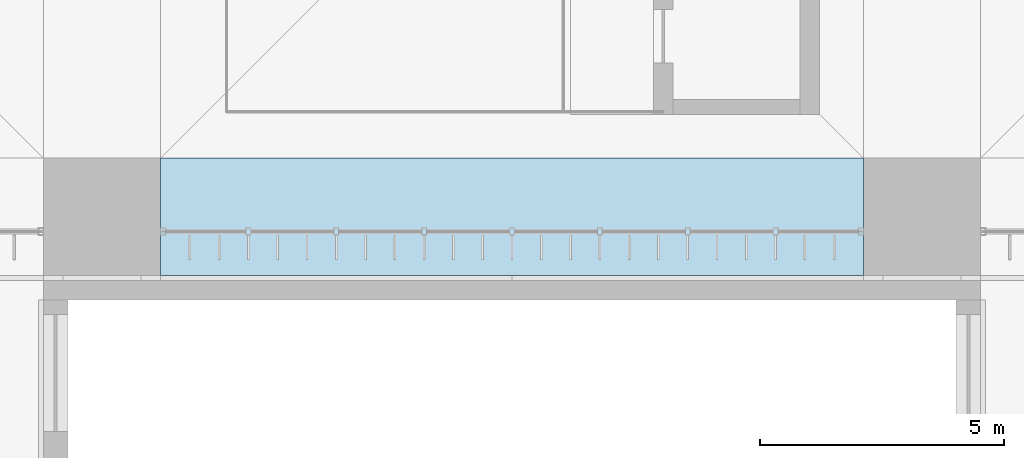
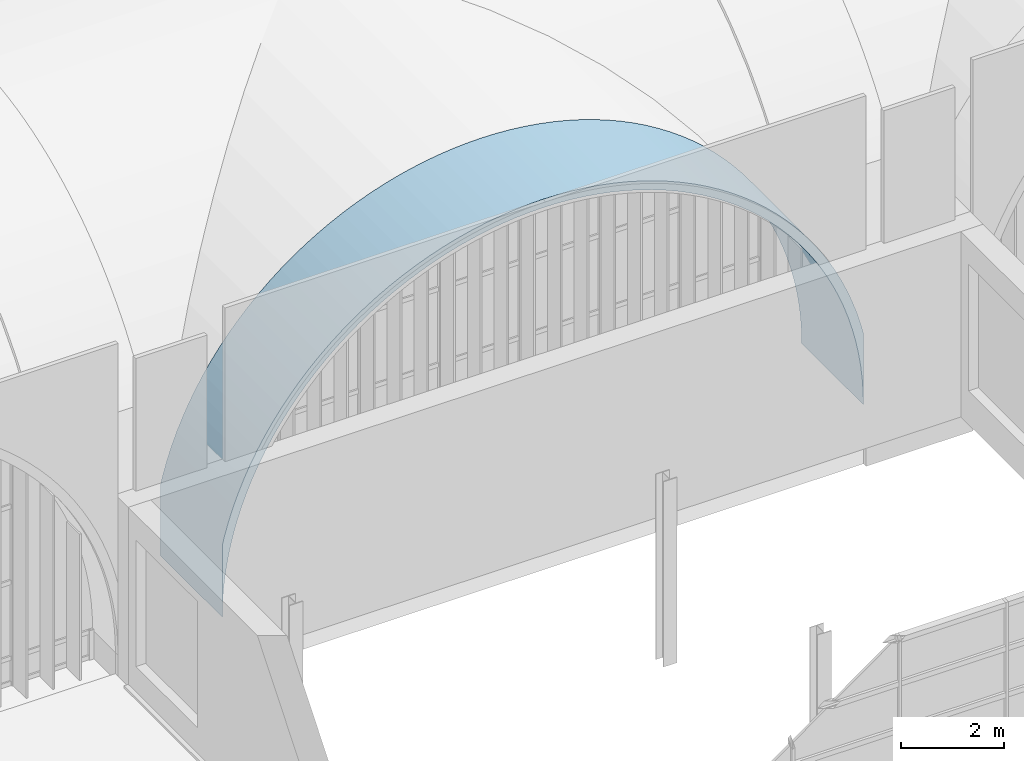
# One storey, part 123 of 169: 1 roof.
"""IFC4 building model written with IfcOpenShell, lengths in metres."""

from ifc_helpers import new_model, si_unit, direction, frame, origin, place, context, subcontext, project, spatial, polygons, material, layer, layer_set, type_object, element, save


model = new_model("IFC4")

# Units and contexts
model_context = context("Model", 3, precision=1e-05, world=origin(), true_north=direction((0.0, 1.0)))
body_context = subcontext(model_context, "Body", "Model", "MODEL_VIEW")
ifc_project = project(units=[si_unit("LENGTHUNIT", "METRE"), si_unit("AREAUNIT", "SQUARE_METRE"), si_unit("VOLUMEUNIT", "CUBIC_METRE"), si_unit("PLANEANGLEUNIT", "RADIAN"), si_unit("MASSUNIT", "GRAM", prefix="KILO")], contexts=[model_context])

# Site, building, storey
site_placement = place(None, origin())
site = spatial("IfcSite", under=ifc_project, at=site_placement, CompositionType="ELEMENT")
building_placement = place(site_placement, origin())
building = spatial("IfcBuilding", under=site, at=building_placement, Name="Verrick Yard Athletic Hall", CompositionType="ELEMENT")
storey_placement = place(building_placement, frame((0.0, 0.0, 4.39990234375)))
storey = spatial("IfcBuildingStorey", under=building, at=storey_placement, Name="L01", CompositionType="ELEMENT", Elevation=4.39990234375)

# Roof
ifc_material = material(Name="Concrete 35 MPa", Category="concrete")
ifc_layer = layer(ifc_material, 0.199951171875)
ifc_layer_set = layer_set([ifc_layer], Name="Arch rib 200")
roof_type = type_object("IfcRoofType", Name="Arch rib 200", PredefinedType="BARREL_ROOF", material=ifc_layer_set)
roof_placement = place(storey_placement, origin())
element("IfcRoof", 1, at=roof_placement, inside=storey, type_object=roof_type, Name="Vault rib S4", PredefinedType="BARREL_ROOF", context=body_context, shape_type="Tessellation", body=[
    polygons([(91.60009765625, 18.0, 2.352294921875), (91.60009765625, 18.0, 0.650146484375), (91.60693359375, 18.0, 0.964111328125), (91.62744140625, 18.0, 1.277587890625), (91.66162109375, 18.0, 1.58984375), (91.70947265625, 18.0, 1.900390625), (91.770751953125, 18.0, 2.20849609375), (91.84521484375, 18.0, 2.513671875), (91.93310546875, 18.0, 2.815185546875), (92.0341796875, 18.0, 3.112548828125), (92.148193359375, 18.0, 3.405517578125), (92.274658203125, 18.0, 3.693115234375), (92.41357421875, 18.0, 3.974609375), (92.564697265625, 18.0, 4.25), (92.7275390625, 18.0, 4.518798828125), (92.902099609375, 18.0, 4.77978515625), (93.087890625, 18.0, 5.033203125), (93.284423828125, 18.0, 5.278076171875), (93.49169921875, 18.0, 5.514404296875), (93.708740234375, 18.0, 5.7412109375), (93.935791015625, 18.0, 5.95849609375), (94.171875, 18.0, 6.16552734375), (94.4169921875, 18.0, 6.3623046875), (94.670166015625, 18.0, 6.548095703125), (94.931396484375, 18.0, 6.722412109375), (95.199951171875, 18.0, 6.885498046875), (95.475341796875, 18.0, 7.03662109375), (95.757080078125, 18.0, 7.175537109375), (96.044677734375, 18.0, 7.302001953125), (96.33740234375, 18.0, 7.416015625), (96.635009765625, 18.0, 7.516845703125), (96.9365234375, 18.0, 7.604736328125), (97.24169921875, 18.0, 7.679443359375), (97.5498046875, 18.0, 7.74072265625), (97.860107421875, 18.0, 7.78857421875), (98.172607421875, 18.0, 7.82275390625), (98.48583984375, 18.0, 7.84326171875), (98.800048828125, 18.0, 7.85009765625), (99.114013671875, 18.0, 7.84326171875), (99.427490234375, 18.0, 7.82275390625), (99.73974609375, 18.0, 7.78857421875), (100.05029296875, 18.0, 7.74072265625), (100.3583984375, 18.0, 7.679443359375), (100.66357421875, 18.0, 7.604736328125), (100.965087890625, 18.0, 7.516845703125), (101.262451171875, 18.0, 7.416015625), (101.555419921875, 18.0, 7.302001953125), (101.843017578125, 18.0, 7.175537109375), (102.12451171875, 18.0, 7.03662109375), (102.39990234375, 18.0, 6.885498046875), (102.668701171875, 18.0, 6.722412109375), (102.9296875, 18.0, 6.548095703125), (103.18310546875, 18.0, 6.3623046875), (103.427978515625, 18.0, 6.16552734375), (103.664306640625, 18.0, 5.95849609375), (103.89111328125, 18.0, 5.7412109375), (104.1083984375, 18.0, 5.514404296875), (104.3154296875, 18.0, 5.278076171875), (104.51220703125, 18.0, 5.033203125), (104.697998046875, 18.0, 4.77978515625), (104.872314453125, 18.0, 4.518798828125), (105.035400390625, 18.0, 4.25), (105.1865234375, 18.0, 3.974609375), (105.325439453125, 18.0, 3.693115234375), (105.451904296875, 18.0, 3.405517578125), (105.56591796875, 18.0, 3.112548828125), (105.666748046875, 18.0, 2.815185546875), (105.754638671875, 18.0, 2.513671875), (105.829345703125, 18.0, 2.20849609375), (105.890625, 18.0, 1.900390625), (105.9384765625, 18.0, 1.58984375), (105.97265625, 18.0, 1.277587890625), (105.9931640625, 18.0, 0.964111328125), (106.0, 18.0, 0.650146484375), (106.0, 18.0, 2.352294921875), (105.947998046875, 18.0, 2.5654296875), (105.857421875, 18.0, 2.875244140625), (105.753662109375, 18.0, 3.180908203125), (105.63671875, 18.0, 3.48193359375), (105.506591796875, 18.0, 3.777587890625), (105.364013671875, 18.0, 4.06689453125), (105.20849609375, 18.0, 4.35009765625), (105.041015625, 18.0, 4.6259765625), (104.86181640625, 18.0, 4.89453125), (104.6708984375, 18.0, 5.15478515625), (104.46875, 18.0, 5.40673828125), (104.255859375, 18.0, 5.6494140625), (104.03271484375, 18.0, 5.8828125), (103.79931640625, 18.0, 6.10595703125), (103.556640625, 18.0, 6.31884765625), (103.3046875, 18.0, 6.52099609375), (103.04443359375, 18.0, 6.7119140625), (102.77587890625, 18.0, 6.89111328125), (102.5, 18.0, 7.05859375), (102.216796875, 18.0, 7.214111328125), (101.927490234375, 18.0, 7.356689453125), (101.6318359375, 18.0, 7.48681640625), (101.330810546875, 18.0, 7.603759765625), (101.025146484375, 18.0, 7.70751953125), (100.71533203125, 18.0, 7.798095703125), (100.401611328125, 18.0, 7.874755859375), (100.0849609375, 18.0, 7.937744140625), (99.765869140625, 18.0, 7.98681640625), (99.445068359375, 18.0, 8.02197265625), (99.122802734375, 18.0, 8.043212890625), (98.800048828125, 18.0, 8.050048828125), (98.477294921875, 18.0, 8.043212890625), (98.155029296875, 18.0, 8.02197265625), (97.833984375, 18.0, 7.98681640625), (97.514892578125, 18.0, 7.937744140625), (97.1982421875, 18.0, 7.874755859375), (96.884765625, 18.0, 7.798095703125), (96.57470703125, 18.0, 7.70751953125), (96.26904296875, 18.0, 7.603759765625), (95.968017578125, 18.0, 7.48681640625), (95.672607421875, 18.0, 7.356689453125), (95.383056640625, 18.0, 7.214111328125), (95.10009765625, 18.0, 7.05859375), (94.823974609375, 18.0, 6.89111328125), (94.555419921875, 18.0, 6.7119140625), (94.295166015625, 18.0, 6.52099609375), (94.04345703125, 18.0, 6.31884765625), (93.800537109375, 18.0, 6.10595703125), (93.5673828125, 18.0, 5.8828125), (93.343994140625, 18.0, 5.6494140625), (93.13134765625, 18.0, 5.40673828125), (92.92919921875, 18.0, 5.15478515625), (92.73828125, 18.0, 4.89453125), (92.558837890625, 18.0, 4.6259765625), (92.391357421875, 18.0, 4.35009765625), (92.236083984375, 18.0, 4.06689453125), (92.09326171875, 18.0, 3.777587890625), (91.96337890625, 18.0, 3.48193359375), (91.84619140625, 18.0, 3.180908203125), (91.742431640625, 18.0, 2.875244140625), (91.652099609375, 18.0, 2.5654296875), (91.60009765625, 20.39990234375, 2.352294921875), (91.60009765625, 20.39990234375, 0.650146484375), (91.60693359375, 20.39990234375, 0.964111328125), (91.62744140625, 20.39990234375, 1.277587890625), (91.66162109375, 20.39990234375, 1.58984375), (91.70947265625, 20.39990234375, 1.900390625), (91.770751953125, 20.39990234375, 2.20849609375), (91.84521484375, 20.39990234375, 2.513671875), (91.93310546875, 20.39990234375, 2.815185546875), (92.0341796875, 20.39990234375, 3.112548828125), (92.148193359375, 20.39990234375, 3.405517578125), (92.274658203125, 20.39990234375, 3.693115234375), (92.41357421875, 20.39990234375, 3.974609375), (92.564697265625, 20.39990234375, 4.25), (92.7275390625, 20.39990234375, 4.518798828125), (92.902099609375, 20.39990234375, 4.77978515625), (93.087890625, 20.39990234375, 5.033203125), (93.284423828125, 20.39990234375, 5.278076171875), (93.49169921875, 20.39990234375, 5.514404296875), (93.708740234375, 20.39990234375, 5.7412109375), (93.935791015625, 20.39990234375, 5.95849609375), (94.171875, 20.39990234375, 6.16552734375), (94.4169921875, 20.39990234375, 6.3623046875), (94.670166015625, 20.39990234375, 6.548095703125), (94.931396484375, 20.39990234375, 6.722412109375), (95.199951171875, 20.39990234375, 6.885498046875), (95.475341796875, 20.39990234375, 7.03662109375), (95.757080078125, 20.39990234375, 7.175537109375), (96.044677734375, 20.39990234375, 7.302001953125), (96.33740234375, 20.39990234375, 7.416015625), (96.635009765625, 20.39990234375, 7.516845703125), (96.9365234375, 20.39990234375, 7.604736328125), (97.24169921875, 20.39990234375, 7.679443359375), (97.5498046875, 20.39990234375, 7.74072265625), (97.860107421875, 20.39990234375, 7.78857421875), (98.172607421875, 20.39990234375, 7.82275390625), (98.48583984375, 20.39990234375, 7.84326171875), (98.800048828125, 20.39990234375, 7.85009765625), (99.114013671875, 20.39990234375, 7.84326171875), (99.427490234375, 20.39990234375, 7.82275390625), (99.73974609375, 20.39990234375, 7.78857421875), (100.05029296875, 20.39990234375, 7.74072265625), (100.3583984375, 20.39990234375, 7.679443359375), (100.66357421875, 20.39990234375, 7.604736328125), (100.965087890625, 20.39990234375, 7.516845703125), (101.262451171875, 20.39990234375, 7.416015625), (101.555419921875, 20.39990234375, 7.302001953125), (101.843017578125, 20.39990234375, 7.175537109375), (102.12451171875, 20.39990234375, 7.03662109375), (102.39990234375, 20.39990234375, 6.885498046875), (102.668701171875, 20.39990234375, 6.722412109375), (102.9296875, 20.39990234375, 6.548095703125), (103.18310546875, 20.39990234375, 6.3623046875), (103.427978515625, 20.39990234375, 6.16552734375), (103.664306640625, 20.39990234375, 5.95849609375), (103.89111328125, 20.39990234375, 5.7412109375), (104.1083984375, 20.39990234375, 5.514404296875), (104.3154296875, 20.39990234375, 5.278076171875), (104.51220703125, 20.39990234375, 5.033203125), (104.697998046875, 20.39990234375, 4.77978515625), (104.872314453125, 20.39990234375, 4.518798828125), (105.035400390625, 20.39990234375, 4.25), (105.1865234375, 20.39990234375, 3.974609375), (105.325439453125, 20.39990234375, 3.693115234375), (105.451904296875, 20.39990234375, 3.405517578125), (105.56591796875, 20.39990234375, 3.112548828125), (105.666748046875, 20.39990234375, 2.815185546875), (105.754638671875, 20.39990234375, 2.513671875), (105.829345703125, 20.39990234375, 2.20849609375), (105.890625, 20.39990234375, 1.900390625), (105.9384765625, 20.39990234375, 1.58984375), (105.97265625, 20.39990234375, 1.277587890625), (105.9931640625, 20.39990234375, 0.964111328125), (106.0, 20.39990234375, 0.650146484375), (106.0, 20.39990234375, 2.352294921875), (105.947998046875, 20.39990234375, 2.5654296875), (105.857421875, 20.39990234375, 2.875244140625), (105.753662109375, 20.39990234375, 3.180908203125), (105.63671875, 20.39990234375, 3.48193359375), (105.506591796875, 20.39990234375, 3.777587890625), (105.364013671875, 20.39990234375, 4.06689453125), (105.20849609375, 20.39990234375, 4.35009765625), (105.041015625, 20.39990234375, 4.6259765625), (104.86181640625, 20.39990234375, 4.89453125), (104.6708984375, 20.39990234375, 5.15478515625), (104.46875, 20.39990234375, 5.40673828125), (104.255859375, 20.39990234375, 5.6494140625), (104.03271484375, 20.39990234375, 5.8828125), (103.79931640625, 20.39990234375, 6.10595703125), (103.556640625, 20.39990234375, 6.31884765625), (103.3046875, 20.39990234375, 6.52099609375), (103.04443359375, 20.39990234375, 6.7119140625), (102.77587890625, 20.39990234375, 6.89111328125), (102.5, 20.39990234375, 7.05859375), (102.216796875, 20.39990234375, 7.214111328125), (101.927490234375, 20.39990234375, 7.356689453125), (101.6318359375, 20.39990234375, 7.48681640625), (101.330810546875, 20.39990234375, 7.603759765625), (101.025146484375, 20.39990234375, 7.70751953125), (100.71533203125, 20.39990234375, 7.798095703125), (100.401611328125, 20.39990234375, 7.874755859375), (100.0849609375, 20.39990234375, 7.937744140625), (99.765869140625, 20.39990234375, 7.98681640625), (99.445068359375, 20.39990234375, 8.02197265625), (99.122802734375, 20.39990234375, 8.043212890625), (98.800048828125, 20.39990234375, 8.050048828125), (98.477294921875, 20.39990234375, 8.043212890625), (98.155029296875, 20.39990234375, 8.02197265625), (97.833984375, 20.39990234375, 7.98681640625), (97.514892578125, 20.39990234375, 7.937744140625), (97.1982421875, 20.39990234375, 7.874755859375), (96.884765625, 20.39990234375, 7.798095703125), (96.57470703125, 20.39990234375, 7.70751953125), (96.26904296875, 20.39990234375, 7.603759765625), (95.968017578125, 20.39990234375, 7.48681640625), (95.672607421875, 20.39990234375, 7.356689453125), (95.383056640625, 20.39990234375, 7.214111328125), (95.10009765625, 20.39990234375, 7.05859375), (94.823974609375, 20.39990234375, 6.89111328125), (94.555419921875, 20.39990234375, 6.7119140625), (94.295166015625, 20.39990234375, 6.52099609375), (94.04345703125, 20.39990234375, 6.31884765625), (93.800537109375, 20.39990234375, 6.10595703125), (93.5673828125, 20.39990234375, 5.8828125), (93.343994140625, 20.39990234375, 5.6494140625), (93.13134765625, 20.39990234375, 5.40673828125), (92.92919921875, 20.39990234375, 5.15478515625), (92.73828125, 20.39990234375, 4.89453125), (92.558837890625, 20.39990234375, 4.6259765625), (92.391357421875, 20.39990234375, 4.35009765625), (92.236083984375, 20.39990234375, 4.06689453125), (92.09326171875, 20.39990234375, 3.777587890625), (91.96337890625, 20.39990234375, 3.48193359375), (91.84619140625, 20.39990234375, 3.180908203125), (91.742431640625, 20.39990234375, 2.875244140625), (91.652099609375, 20.39990234375, 2.5654296875)], [[[1, 2, 3]], [[137, 139, 138]], [[136, 1, 3]], [[272, 139, 137]], [[136, 3, 4]], [[272, 140, 139]], [[136, 4, 5]], [[272, 141, 140]], [[136, 5, 6]], [[272, 142, 141]], [[136, 6, 7]], [[272, 143, 142]], [[136, 7, 8]], [[272, 144, 143]], [[136, 8, 9]], [[272, 145, 144]], [[136, 9, 10]], [[272, 146, 145]], [[136, 10, 11]], [[272, 147, 146]], [[136, 11, 12]], [[272, 148, 147]], [[136, 12, 13]], [[272, 149, 148]], [[73, 74, 75]], [[209, 211, 210]], [[72, 73, 75]], [[208, 211, 209]], [[71, 72, 75]], [[207, 211, 208]], [[70, 71, 75]], [[206, 211, 207]], [[69, 70, 75]], [[205, 211, 206]], [[68, 69, 75]], [[204, 211, 205]], [[67, 68, 75]], [[203, 211, 204]], [[66, 67, 75]], [[202, 211, 203]], [[65, 66, 75]], [[201, 211, 202]], [[64, 65, 75]], [[200, 211, 201]], [[63, 64, 75]], [[199, 211, 200]], [[63, 75, 76]], [[199, 212, 211]], [[63, 76, 77]], [[199, 213, 212]], [[62, 63, 77]], [[198, 213, 199]], [[62, 77, 78]], [[198, 214, 213]], [[61, 62, 78]], [[197, 214, 198]], [[61, 78, 79]], [[197, 215, 214]], [[60, 61, 79]], [[196, 215, 197]], [[60, 79, 80]], [[196, 216, 215]], [[59, 60, 80]], [[195, 216, 196]], [[59, 80, 81]], [[195, 217, 216]], [[58, 59, 81]], [[194, 217, 195]], [[58, 81, 82]], [[194, 218, 217]], [[57, 58, 82]], [[193, 218, 194]], [[57, 82, 83]], [[193, 219, 218]], [[56, 57, 83]], [[192, 219, 193]], [[56, 83, 84]], [[192, 220, 219]], [[55, 56, 84]], [[191, 220, 192]], [[55, 84, 85]], [[191, 221, 220]], [[54, 55, 85]], [[190, 221, 191]], [[54, 85, 86]], [[190, 222, 221]], [[53, 54, 86]], [[189, 222, 190]], [[53, 86, 87]], [[189, 223, 222]], [[52, 53, 87]], [[188, 223, 189]], [[52, 87, 88]], [[188, 224, 223]], [[51, 52, 88]], [[187, 224, 188]], [[51, 88, 89]], [[187, 225, 224]], [[50, 51, 89]], [[186, 225, 187]], [[50, 89, 90]], [[186, 226, 225]], [[49, 50, 90]], [[185, 226, 186]], [[49, 90, 91]], [[185, 227, 226]], [[48, 49, 91]], [[184, 227, 185]], [[48, 91, 92]], [[184, 228, 227]], [[47, 48, 92]], [[183, 228, 184]], [[47, 92, 93]], [[183, 229, 228]], [[46, 47, 93]], [[182, 229, 183]], [[46, 93, 94]], [[182, 230, 229]], [[45, 46, 94]], [[181, 230, 182]], [[45, 94, 95]], [[181, 231, 230]], [[44, 45, 95]], [[180, 231, 181]], [[44, 95, 96]], [[180, 232, 231]], [[43, 44, 96]], [[179, 232, 180]], [[43, 96, 97]], [[179, 233, 232]], [[42, 43, 97]], [[178, 233, 179]], [[42, 97, 98]], [[178, 234, 233]], [[41, 42, 98]], [[177, 234, 178]], [[41, 98, 99]], [[177, 235, 234]], [[40, 41, 99]], [[176, 235, 177]], [[40, 99, 100]], [[176, 236, 235]], [[39, 40, 100]], [[175, 236, 176]], [[39, 100, 101]], [[175, 237, 236]], [[38, 39, 101]], [[174, 237, 175]], [[38, 101, 102]], [[174, 238, 237]], [[37, 38, 102]], [[173, 238, 174]], [[37, 102, 103]], [[173, 239, 238]], [[36, 37, 103]], [[172, 239, 173]], [[36, 103, 104]], [[172, 240, 239]], [[35, 36, 104]], [[171, 240, 172]], [[35, 104, 105]], [[171, 241, 240]], [[34, 35, 105]], [[170, 241, 171]], [[34, 105, 106]], [[170, 242, 241]], [[33, 34, 106]], [[169, 242, 170]], [[33, 106, 107]], [[169, 243, 242]], [[32, 33, 107]], [[168, 243, 169]], [[32, 107, 108]], [[168, 244, 243]], [[31, 32, 108]], [[167, 244, 168]], [[31, 108, 109]], [[167, 245, 244]], [[30, 31, 109]], [[166, 245, 167]], [[30, 109, 110]], [[166, 246, 245]], [[29, 30, 110]], [[165, 246, 166]], [[29, 110, 111]], [[165, 247, 246]], [[28, 29, 111]], [[164, 247, 165]], [[28, 111, 112]], [[164, 248, 247]], [[27, 28, 112]], [[163, 248, 164]], [[27, 112, 113]], [[163, 249, 248]], [[26, 27, 113]], [[162, 249, 163]], [[26, 113, 114]], [[162, 250, 249]], [[25, 26, 114]], [[161, 250, 162]], [[25, 114, 115]], [[161, 251, 250]], [[24, 25, 115]], [[160, 251, 161]], [[24, 115, 116]], [[160, 252, 251]], [[23, 24, 116]], [[159, 252, 160]], [[23, 116, 117]], [[159, 253, 252]], [[22, 23, 117]], [[158, 253, 159]], [[22, 117, 118]], [[158, 254, 253]], [[21, 22, 118]], [[157, 254, 158]], [[21, 118, 119]], [[157, 255, 254]], [[20, 21, 119]], [[156, 255, 157]], [[20, 119, 120]], [[156, 256, 255]], [[19, 20, 120]], [[155, 256, 156]], [[19, 120, 121]], [[155, 257, 256]], [[18, 19, 121]], [[154, 257, 155]], [[18, 121, 122]], [[154, 258, 257]], [[17, 18, 122]], [[153, 258, 154]], [[17, 122, 123]], [[153, 259, 258]], [[16, 17, 123]], [[152, 259, 153]], [[16, 123, 124]], [[152, 260, 259]], [[15, 16, 124]], [[151, 260, 152]], [[15, 124, 125]], [[151, 261, 260]], [[14, 15, 125]], [[150, 261, 151]], [[14, 125, 126]], [[150, 262, 261]], [[13, 14, 126]], [[149, 262, 150]], [[136, 13, 126]], [[272, 262, 149]], [[136, 126, 127]], [[272, 263, 262]], [[136, 127, 128]], [[272, 264, 263]], [[136, 128, 129]], [[272, 265, 264]], [[136, 129, 130]], [[272, 266, 265]], [[136, 130, 131]], [[272, 267, 266]], [[136, 131, 132]], [[272, 268, 267]], [[136, 132, 133]], [[272, 269, 268]], [[136, 133, 134]], [[272, 270, 269]], [[134, 135, 136]], [[270, 272, 271]], [[1, 138, 2]], [[1, 137, 138]], [[2, 139, 3]], [[2, 138, 139]], [[3, 140, 4]], [[3, 139, 140]], [[4, 141, 5]], [[4, 140, 141]], [[5, 142, 6]], [[5, 141, 142]], [[6, 143, 7]], [[6, 142, 143]], [[7, 144, 8]], [[7, 143, 144]], [[8, 145, 9]], [[8, 144, 145]], [[9, 146, 10]], [[9, 145, 146]], [[10, 147, 11]], [[10, 146, 147]], [[11, 148, 12]], [[11, 147, 148]], [[12, 149, 13]], [[12, 148, 149]], [[13, 150, 14]], [[13, 149, 150]], [[14, 151, 15]], [[14, 150, 151]], [[15, 152, 16]], [[15, 151, 152]], [[16, 153, 17]], [[16, 152, 153]], [[17, 154, 18]], [[17, 153, 154]], [[18, 155, 19]], [[18, 154, 155]], [[19, 156, 20]], [[19, 155, 156]], [[20, 157, 21]], [[20, 156, 157]], [[21, 158, 22]], [[21, 157, 158]], [[22, 159, 23]], [[22, 158, 159]], [[23, 160, 24]], [[23, 159, 160]], [[24, 161, 25]], [[24, 160, 161]], [[25, 162, 26]], [[25, 161, 162]], [[26, 163, 27]], [[26, 162, 163]], [[27, 164, 28]], [[27, 163, 164]], [[28, 165, 29]], [[28, 164, 165]], [[29, 166, 30]], [[29, 165, 166]], [[30, 167, 31]], [[30, 166, 167]], [[31, 168, 32]], [[31, 167, 168]], [[32, 169, 33]], [[32, 168, 169]], [[33, 170, 34]], [[33, 169, 170]], [[34, 171, 35]], [[34, 170, 171]], [[35, 172, 36]], [[35, 171, 172]], [[36, 173, 37]], [[36, 172, 173]], [[37, 174, 38]], [[37, 173, 174]], [[38, 175, 39]], [[38, 174, 175]], [[39, 176, 40]], [[39, 175, 176]], [[40, 177, 41]], [[40, 176, 177]], [[41, 178, 42]], [[41, 177, 178]], [[42, 179, 43]], [[42, 178, 179]], [[43, 180, 44]], [[43, 179, 180]], [[44, 181, 45]], [[44, 180, 181]], [[45, 182, 46]], [[45, 181, 182]], [[46, 183, 47]], [[46, 182, 183]], [[47, 184, 48]], [[47, 183, 184]], [[48, 185, 49]], [[48, 184, 185]], [[49, 186, 50]], [[49, 185, 186]], [[50, 187, 51]], [[50, 186, 187]], [[51, 188, 52]], [[51, 187, 188]], [[52, 189, 53]], [[52, 188, 189]], [[53, 190, 54]], [[53, 189, 190]], [[54, 191, 55]], [[54, 190, 191]], [[55, 192, 56]], [[55, 191, 192]], [[56, 193, 57]], [[56, 192, 193]], [[57, 194, 58]], [[57, 193, 194]], [[58, 195, 59]], [[58, 194, 195]], [[59, 196, 60]], [[59, 195, 196]], [[60, 197, 61]], [[60, 196, 197]], [[61, 198, 62]], [[61, 197, 198]], [[62, 199, 63]], [[62, 198, 199]], [[63, 200, 64]], [[63, 199, 200]], [[64, 201, 65]], [[64, 200, 201]], [[65, 202, 66]], [[65, 201, 202]], [[66, 203, 67]], [[66, 202, 203]], [[67, 204, 68]], [[67, 203, 204]], [[68, 205, 69]], [[68, 204, 205]], [[69, 206, 70]], [[69, 205, 206]], [[70, 207, 71]], [[70, 206, 207]], [[71, 208, 72]], [[71, 207, 208]], [[72, 209, 73]], [[72, 208, 209]], [[73, 210, 74]], [[73, 209, 210]], [[74, 211, 75]], [[74, 210, 211]], [[75, 212, 76]], [[75, 211, 212]], [[76, 213, 77]], [[76, 212, 213]], [[77, 214, 78]], [[77, 213, 214]], [[78, 215, 79]], [[78, 214, 215]], [[79, 216, 80]], [[79, 215, 216]], [[80, 217, 81]], [[80, 216, 217]], [[81, 218, 82]], [[81, 217, 218]], [[82, 219, 83]], [[82, 218, 219]], [[83, 220, 84]], [[83, 219, 220]], [[84, 221, 85]], [[84, 220, 221]], [[85, 222, 86]], [[85, 221, 222]], [[86, 223, 87]], [[86, 222, 223]], [[87, 224, 88]], [[87, 223, 224]], [[88, 225, 89]], [[88, 224, 225]], [[89, 226, 90]], [[89, 225, 226]], [[90, 227, 91]], [[90, 226, 227]], [[91, 228, 92]], [[91, 227, 228]], [[92, 229, 93]], [[92, 228, 229]], [[93, 230, 94]], [[93, 229, 230]], [[94, 231, 95]], [[94, 230, 231]], [[95, 232, 96]], [[95, 231, 232]], [[96, 233, 97]], [[96, 232, 233]], [[97, 234, 98]], [[97, 233, 234]], [[98, 235, 99]], [[98, 234, 235]], [[99, 236, 100]], [[99, 235, 236]], [[100, 237, 101]], [[100, 236, 237]], [[101, 238, 102]], [[101, 237, 238]], [[102, 239, 103]], [[102, 238, 239]], [[103, 240, 104]], [[103, 239, 240]], [[104, 241, 105]], [[104, 240, 241]], [[105, 242, 106]], [[105, 241, 242]], [[106, 243, 107]], [[106, 242, 243]], [[107, 244, 108]], [[107, 243, 244]], [[108, 245, 109]], [[108, 244, 245]], [[109, 246, 110]], [[109, 245, 246]], [[110, 247, 111]], [[110, 246, 247]], [[111, 248, 112]], [[111, 247, 248]], [[112, 249, 113]], [[112, 248, 249]], [[113, 250, 114]], [[113, 249, 250]], [[114, 251, 115]], [[114, 250, 251]], [[115, 252, 116]], [[115, 251, 252]], [[116, 253, 117]], [[116, 252, 253]], [[117, 254, 118]], [[117, 253, 254]], [[118, 255, 119]], [[118, 254, 255]], [[119, 256, 120]], [[119, 255, 256]], [[120, 257, 121]], [[120, 256, 257]], [[121, 258, 122]], [[121, 257, 258]], [[122, 259, 123]], [[122, 258, 259]], [[123, 260, 124]], [[123, 259, 260]], [[124, 261, 125]], [[124, 260, 261]], [[125, 262, 126]], [[125, 261, 262]], [[126, 263, 127]], [[126, 262, 263]], [[127, 264, 128]], [[127, 263, 264]], [[128, 265, 129]], [[128, 264, 265]], [[129, 266, 130]], [[129, 265, 266]], [[130, 267, 131]], [[130, 266, 267]], [[131, 268, 132]], [[131, 267, 268]], [[132, 269, 133]], [[132, 268, 269]], [[133, 270, 134]], [[133, 269, 270]], [[134, 271, 135]], [[134, 270, 271]], [[135, 272, 136]], [[135, 271, 272]], [[136, 137, 1]], [[136, 272, 137]]], closed=True),
])

save(model, "model.ifc")
